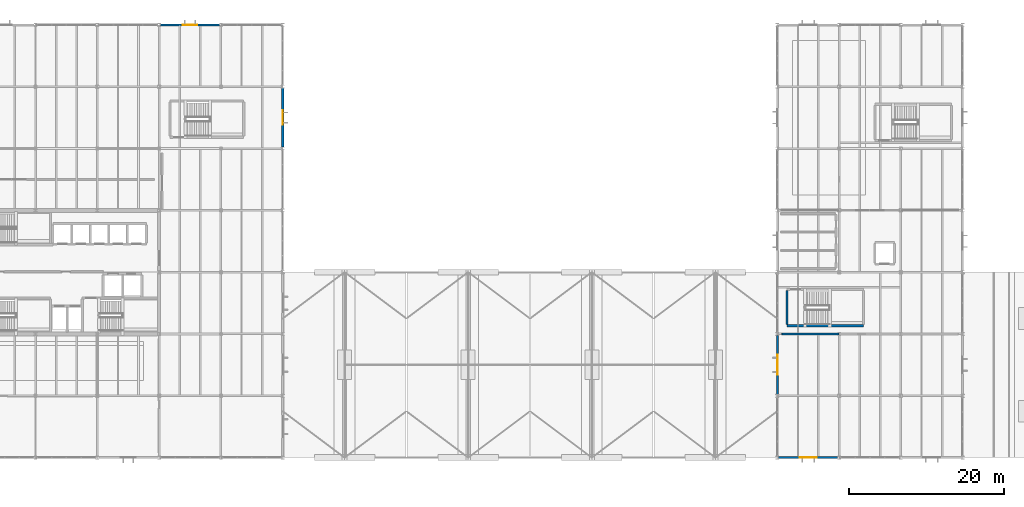
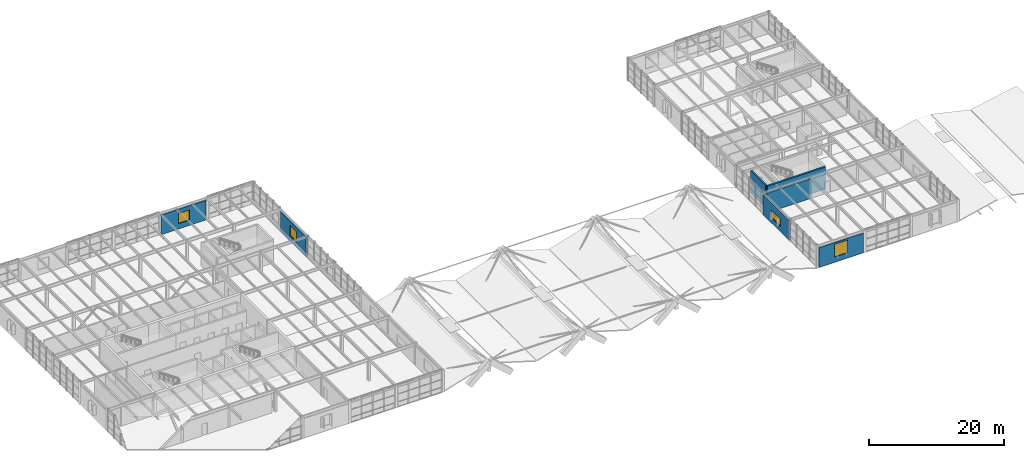
# One storey, part 44 of 50: 7 walls, 4 windows, 4 openings.
"""IFC4 building model written with IfcOpenShell, lengths in metres."""

from ifc_helpers import new_model, si_unit, direction, frame, frame_2d, origin, place, context, subcontext, project, spatial, rectangle, extrude, material, layer, layer_set, type_object, element, fill, save


model = new_model("IFC4")

# Units and contexts
model_context = context("Model", 3, precision=1e-05, world=origin(), true_north=direction((0.0, 1.0)))
body_context = subcontext(model_context, "Body", "Model", "MODEL_VIEW")
ifc_project = project(units=[si_unit("LENGTHUNIT", "METRE"), si_unit("AREAUNIT", "SQUARE_METRE"), si_unit("VOLUMEUNIT", "CUBIC_METRE"), si_unit("PLANEANGLEUNIT", "RADIAN"), si_unit("MASSUNIT", "GRAM", prefix="KILO")], contexts=[model_context])

# Site, building, storey
site_placement = place(None, origin())
site = spatial("IfcSite", under=ifc_project, at=site_placement, CompositionType="ELEMENT")
building_placement = place(site_placement, origin())
building = spatial("IfcBuilding", under=site, at=building_placement, Name="Varnela Railside Interchange", CompositionType="ELEMENT")
storey_placement = place(building_placement, frame((0.0, 0.0, 15.39990234375)))
storey = spatial("IfcBuildingStorey", under=building, at=storey_placement, Name="L03", CompositionType="ELEMENT", Elevation=15.39990234375)

# Wall
ifc_material_1 = material(Name="Concrete C40", Category="concrete")
ifc_layer_1 = layer(ifc_material_1, 0.199951171875)
ifc_layer_set_1 = layer_set([ifc_layer_1], Name="Concrete C40")
wall_type_1 = type_object("IfcWallType", Name="Fire Compartment Wall EI60 FW-01", PredefinedType="SOLIDWALL", material=ifc_layer_set_1)
wall_1_placement = place(storey_placement, frame((116.60009765625, 54.0, 0.0), z_axis=(0.0, 0.0, 1.0), x_axis=(1.0, 0.0, 0.0)))
element("IfcWall", 1, at=wall_1_placement, inside=storey, type_object=wall_type_1, Name="Fire Compartment Wall EI60 FW-01 (L03) (WL-0809)", PredefinedType="SOLIDWALL", context=body_context, shape_type="SweptSolid", body=[
    extrude(rectangle(XDim=7.39990234375, YDim=0.199951171875, at=frame_2d((3.699951171875, 0.0))), origin(), (0.0, 0.0, 1.0), 3.5400390625),
])

# Wall, opening, window
ifc_material_2 = material(Name="Concrete C40 precast", Category="concrete")
ifc_layer_2 = layer(ifc_material_2, 0.280029296875)
ifc_layer_set_2 = layer_set([ifc_layer_2], Name="Concrete C40 precast")
wall_type_2 = type_object("IfcWallType", Name="Ribbed Precast Concrete Facade Wall EW-02", PredefinedType="STANDARD", material=ifc_layer_set_2)
wall_2_placement = place(storey_placement, frame((36.1865234375, 94.0, 0.0), z_axis=(0.0, 0.0, 1.0), x_axis=(1.0, 0.0, 0.0)))
wall_2 = element("IfcWall", 2, at=wall_2_placement, inside=storey, type_object=wall_type_2, Name="Ribbed Precast Concrete Facade Wall EW-02 (L03) (WL-0791)", PredefinedType="STANDARD", context=body_context, shape_type="SweptSolid", body=[
    extrude(rectangle(XDim=7.626953125, YDim=0.280029296875, at=frame_2d((3.8134765625, 0.0))), origin(), (0.0, 0.0, 1.0), 3.5400390625),
])
opening_1_placement = place(wall_2_placement, frame((2.863525390625, 0.0, 0.949951171875)))
opening_1 = element("IfcOpeningElement", 3, at=opening_1_placement, cuts=wall_2, Name="Opening W-103", PredefinedType="OPENING", context=body_context, shape_type="SweptSolid", body=[
    extrude(rectangle(XDim=1.89990234375, YDim=1.85009765625, at=frame_2d((0.949951171875, 0.925048828125))), frame((0.0, 0.14990234375, 0.0), z_axis=(0.0, -1.0, 0.0), x_axis=(1.0, 0.0, 0.0)), (0.0, 0.0, 1.0), 0.300048828125),
])
ifc_material_3 = material(Name="Glass laminated double", Category="glass")
window_type_1 = type_object("IfcWindowType", Name="Canteen Deep-Set Window WN-11", PartitioningType="SINGLE_PANEL", PredefinedType="WINDOW", material=ifc_material_3)
window_1_placement = place(opening_1_placement, origin())
window_1 = element("IfcWindow", 4, at=window_1_placement, inside=storey, type_object=window_type_1, Name="Window W-103", OverallHeight=1.85009765625, OverallWidth=1.89990234375, PartitioningType="SINGLE_PANEL", PredefinedType="WINDOW", context=body_context, shape_type="SweptSolid", body=[
    extrude(rectangle(XDim=1.89990234375, YDim=1.85009765625, at=frame_2d((0.949951171875, 0.925048828125))), frame((0.0, 0.030029296875, 0.0), z_axis=(0.0, -1.0, 0.0), x_axis=(1.0, 0.0, 0.0)), (0.0, 0.0, 1.0), 0.06005859375),
])
fill(opening_1, window_1)

wall_3_placement = place(storey_placement, frame((52.0, 85.81591796875, 0.0), z_axis=(0.0, 0.0, 1.0), x_axis=(0.0, -1.0, 0.0)))
wall_3 = element("IfcWall", 5, at=wall_3_placement, inside=storey, type_object=wall_type_2, Name="Ribbed Precast Concrete Facade Wall EW-02 (L03) (WL-0792)", PredefinedType="STANDARD", context=body_context, shape_type="SweptSolid", body=[
    extrude(rectangle(XDim=7.6318359375, YDim=0.280029296875, at=frame_2d((3.81591796875, 0.0))), origin(), (0.0, 0.0, 1.0), 3.5400390625),
])
opening_2_placement = place(wall_3_placement, frame((2.865966796875, 0.0, 0.949951171875)))
opening_2 = element("IfcOpeningElement", 6, at=opening_2_placement, cuts=wall_3, Name="Opening W-104", PredefinedType="OPENING", context=body_context, shape_type="SweptSolid", body=[
    extrude(rectangle(XDim=1.89990234375, YDim=1.85009765625, at=frame_2d((0.949951171875, 0.925048828125))), frame((0.0, 0.14990234375, 0.0), z_axis=(0.0, -1.0, 0.0), x_axis=(1.0, 0.0, 0.0)), (0.0, 0.0, 1.0), 0.300048828125),
])
window_2_placement = place(opening_2_placement, origin())
window_2 = element("IfcWindow", 7, at=window_2_placement, inside=storey, type_object=window_type_1, Name="Window W-104", OverallHeight=1.85009765625, OverallWidth=1.89990234375, PartitioningType="SINGLE_PANEL", PredefinedType="WINDOW", context=body_context, shape_type="SweptSolid", body=[
    extrude(rectangle(XDim=1.89990234375, YDim=1.85009765625, at=frame_2d((0.949951171875, 0.925048828125))), frame((0.0, 0.030029296875, 0.0), z_axis=(0.0, -1.0, 0.0), x_axis=(1.0, 0.0, 0.0)), (0.0, 0.0, 1.0), 0.06005859375),
])
fill(opening_2, window_2)

# Walls
ifc_material_4 = material(Name="Concrete C50", Category="concrete")
ifc_layer_3 = layer(ifc_material_4, 0.300048828125)
ifc_layer_set_3 = layer_set([ifc_layer_3], Name="Concrete C50")
wall_type_3 = type_object("IfcWallType", Name="Stair & Lift Shaft Wall SW-03", PredefinedType="SHEAR", material=ifc_layer_set_3)
wall_4_placement = place(storey_placement, frame((117.25, 55.050048828125, 0.0), z_axis=(0.0, 0.0, 1.0), x_axis=(1.0, 0.0, 0.0)))
element("IfcWall", 8, at=wall_4_placement, inside=storey, type_object=wall_type_3, Name="Stair & Lift Shaft Wall SW-03 (L03) (WL-0836)", PredefinedType="SHEAR", context=body_context, shape_type="SweptSolid", body=[
    extrude(rectangle(XDim=9.89990234375, YDim=0.300048828125, at=frame_2d((4.949951171875, 0.0))), origin(), (0.0, 0.0, 1.0), 4.0),
])
wall_5_placement = place(storey_placement, frame((117.25, 55.199951171875, 0.0), z_axis=(0.0, 0.0, 1.0), x_axis=(0.0, 1.0, 0.0)))
element("IfcWall", 9, at=wall_5_placement, inside=storey, type_object=wall_type_3, Name="Stair & Lift Shaft Wall SW-03 (L03) (WL-0837)", PredefinedType="SHEAR", context=body_context, shape_type="SweptSolid", body=[
    extrude(rectangle(XDim=4.400146484375, YDim=0.300048828125, at=frame_2d((2.2001953125, 0.0))), origin(), (0.0, 0.0, 1.0), 4.0),
])

# Wall, opening, window
ifc_layer_4 = layer(ifc_material_2, 0.260009765625)
ifc_layer_set_4 = layer_set([ifc_layer_4], Name="Concrete C40 precast")
wall_type_4 = type_object("IfcWallType", Name="Terracotta Precast Study Facade Wall EW-03", PredefinedType="STANDARD", material=ifc_layer_set_4)
wall_6_placement = place(storey_placement, frame((123.8134765625, 38.0, 0.0), z_axis=(0.0, 0.0, 1.0), x_axis=(-1.0, 0.0, 0.0)))
wall_6 = element("IfcWall", 10, at=wall_6_placement, inside=storey, type_object=wall_type_4, Name="Terracotta Precast Study Facade Wall EW-03 (L03) (WL-0797)", PredefinedType="STANDARD", context=body_context, shape_type="SweptSolid", body=[
    extrude(rectangle(XDim=7.626953125, YDim=0.260009765625, at=frame_2d((3.8134765625, 0.0))), origin(), (0.0, 0.0, 1.0), 3.5400390625),
])
opening_3_placement = place(wall_6_placement, frame((2.71337890625, 0.0, 0.949951171875)))
opening_3 = element("IfcOpeningElement", 11, at=opening_3_placement, cuts=wall_6, Name="Opening W-109", PredefinedType="OPENING", context=body_context, shape_type="SweptSolid", body=[
    extrude(rectangle(XDim=2.199951171875, YDim=2.300048828125, at=frame_2d((1.10009765625, 1.14990234375))), frame((0.0, 0.139892578125, 0.0), z_axis=(0.0, -1.0, 0.0), x_axis=(1.0, 0.0, 0.0)), (0.0, 0.0, 1.0), 0.280029296875),
])
window_type_2 = type_object("IfcWindowType", Name="Library Reading Bay Window WN-09", PartitioningType="SINGLE_PANEL", PredefinedType="WINDOW", material=ifc_material_3)
window_3_placement = place(opening_3_placement, origin())
window_3 = element("IfcWindow", 12, at=window_3_placement, inside=storey, type_object=window_type_2, Name="Window W-109", OverallHeight=2.300048828125, OverallWidth=2.199951171875, PartitioningType="SINGLE_PANEL", PredefinedType="WINDOW", context=body_context, shape_type="SweptSolid", body=[
    extrude(rectangle(XDim=2.199951171875, YDim=2.300048828125, at=frame_2d((1.10009765625, 1.14990234375))), frame((0.0, 0.030029296875, 0.0), z_axis=(0.0, -1.0, 0.0), x_axis=(1.0, 0.0, 0.0)), (0.0, 0.0, 1.0), 0.06005859375),
])
fill(opening_3, window_3)

wall_7_placement = place(storey_placement, frame((116.0, 46.18408203125, 0.0), z_axis=(0.0, 0.0, 1.0), x_axis=(0.0, 1.0, 0.0)))
wall_7 = element("IfcWall", 13, at=wall_7_placement, inside=storey, type_object=wall_type_4, Name="Terracotta Precast Study Facade Wall EW-03 (L03) (WL-0799)", PredefinedType="STANDARD", context=body_context, shape_type="SweptSolid", body=[
    extrude(rectangle(XDim=7.6318359375, YDim=0.260009765625, at=frame_2d((3.81591796875, 0.0))), origin(), (0.0, 0.0, 1.0), 3.5400390625),
])
opening_4_placement = place(wall_7_placement, frame((2.51611328125, 0.0, 0.949951171875)))
opening_4 = element("IfcOpeningElement", 14, at=opening_4_placement, cuts=wall_7, Name="Opening W-110", PredefinedType="OPENING", context=body_context, shape_type="SweptSolid", body=[
    extrude(rectangle(XDim=2.60009765625, YDim=1.39990234375, at=frame_2d((1.300048828125, 0.699951171875))), frame((0.0, 0.139892578125, 0.0), z_axis=(0.0, -1.0, 0.0), x_axis=(1.0, 0.0, 0.0)), (0.0, 0.0, 1.0), 0.280029296875),
])
window_type_3 = type_object("IfcWindowType", Name="Gallery Clerestory Strip WN-10", PartitioningType="SINGLE_PANEL", PredefinedType="WINDOW", material=ifc_material_3)
window_4_placement = place(opening_4_placement, origin())
window_4 = element("IfcWindow", 15, at=window_4_placement, inside=storey, type_object=window_type_3, Name="Window W-110", OverallHeight=1.39990234375, OverallWidth=2.60009765625, PartitioningType="SINGLE_PANEL", PredefinedType="WINDOW", context=body_context, shape_type="SweptSolid", body=[
    extrude(rectangle(XDim=2.60009765625, YDim=1.39990234375, at=frame_2d((1.300048828125, 0.699951171875))), frame((0.0, 0.030029296875, 0.0), z_axis=(0.0, -1.0, 0.0), x_axis=(1.0, 0.0, 0.0)), (0.0, 0.0, 1.0), 0.06005859375),
])
fill(opening_4, window_4)

save(model, "model.ifc")
